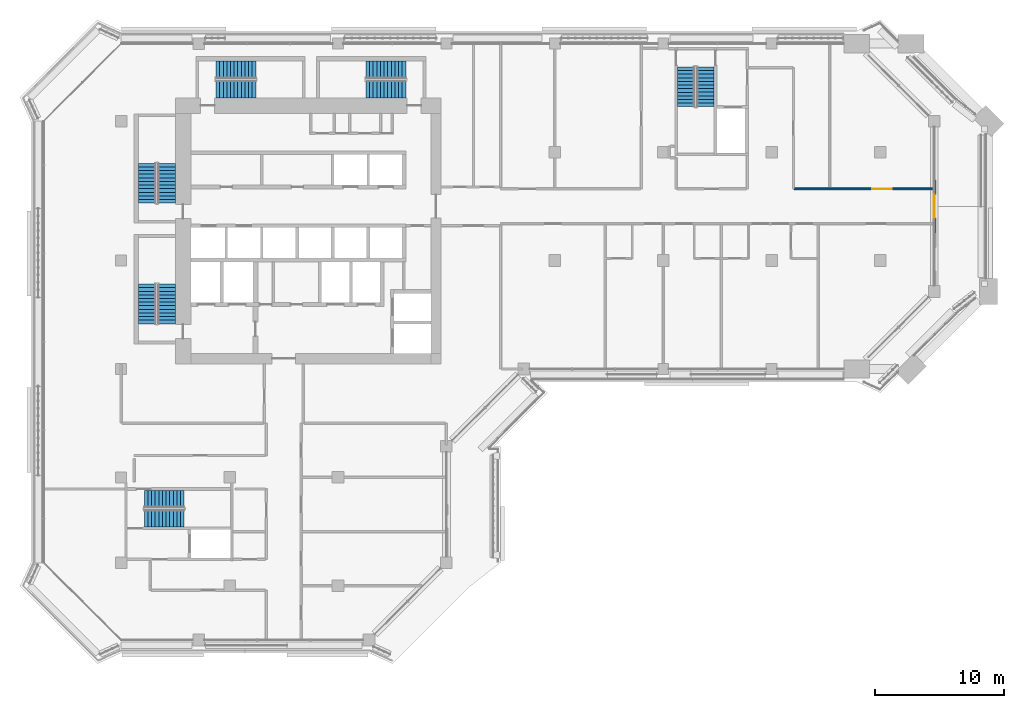
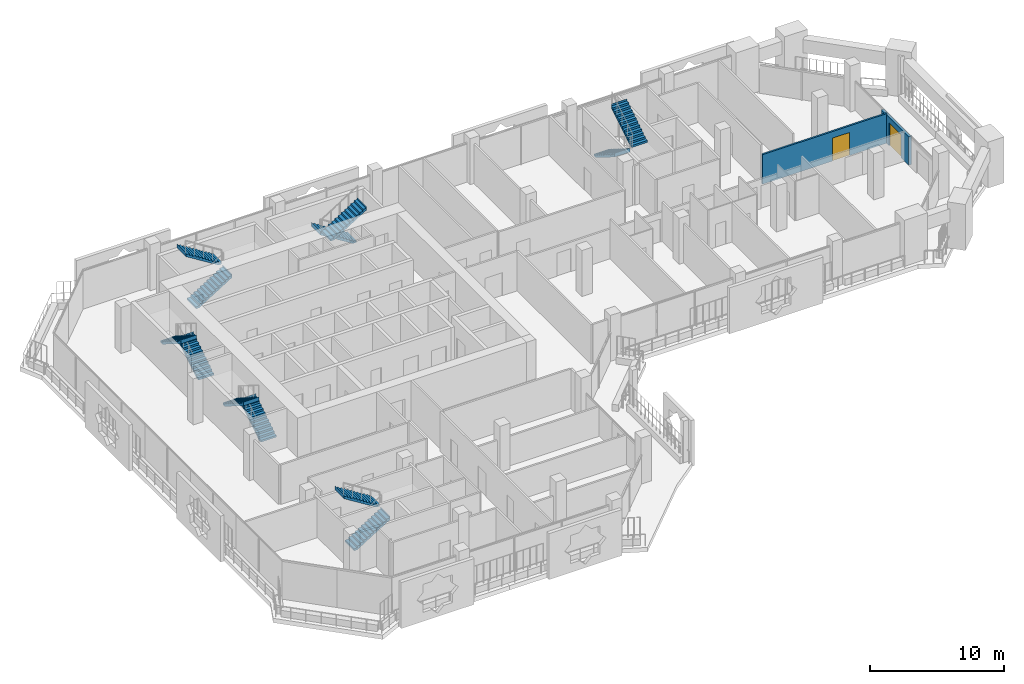
# One storey, part 14 of 21: 12 stair flights, 2 doors, 2 walls, 2 openings, 6 elements without a shape of their own.
"""IFC4 building model written with IfcOpenShell, lengths in metres."""

from ifc_helpers import new_model, si_unit, direction, frame, frame_2d, origin, place, context, subcontext, project, spatial, polyline, rectangle, outline, extrude, material, layer, layer_set, type_object, element, fill, aggregate, save


model = new_model("IFC4")

# Units and contexts
model_context = context("Model", 3, precision=1e-05, world=origin(), true_north=direction((0.0, 1.0)))
body_context = subcontext(model_context, "Body", "Model", "MODEL_VIEW")
ifc_project = project(units=[si_unit("LENGTHUNIT", "METRE"), si_unit("AREAUNIT", "SQUARE_METRE"), si_unit("VOLUMEUNIT", "CUBIC_METRE"), si_unit("PLANEANGLEUNIT", "RADIAN"), si_unit("MASSUNIT", "GRAM", prefix="KILO")], contexts=[model_context])

# Site, building, storey
site_placement = place(None, origin())
site = spatial("IfcSite", under=ifc_project, at=site_placement, CompositionType="ELEMENT")
building_placement = place(site_placement, origin())
building = spatial("IfcBuilding", under=site, at=building_placement, Name="Kawkab Arch Medical Tower", CompositionType="ELEMENT")
storey_placement = place(building_placement, frame((0.0, 0.0, 234.800048828125)))
storey = spatial("IfcBuildingStorey", under=building, at=storey_placement, Name="L54", CompositionType="ELEMENT", Elevation=234.800048828125)

# Wall, opening, door
ifc_material_1 = material(Name="Bronze clad insulated wall panel")
ifc_layer_1 = layer(ifc_material_1, 0.25)
ifc_layer_set_1 = layer_set([ifc_layer_1], Name="Bronze clad insulated wall panel")
wall_type_1 = type_object("IfcWallType", Name="External wall bay 250", PredefinedType="SOLIDWALL", material=ifc_layer_set_1)
wall_1_placement = place(storey_placement, frame((63.0, -14.64990234375, 0.0), z_axis=(0.0, 0.0, 1.0), x_axis=(0.0, 1.0, 0.0)))
wall_1 = element("IfcWall", 1, at=wall_1_placement, inside=storey, type_object=wall_type_1, Name="External wall bay L54.R09.1.2", PredefinedType="SOLIDWALL", context=body_context, shape_type="SweptSolid", body=[
    extrude(rectangle(XDim=4.099853515625, YDim=0.25, at=frame_2d((2.0498046875, 0.0))), origin(), (0.0, 0.0, 1.0), 2.579833984375),
])
opening_1_placement = place(wall_1_placement, frame((1.14990234375, 0.0, 0.0)))
opening_1 = element("IfcOpeningElement", 2, at=opening_1_placement, cuts=wall_1, Name="Opening W54-702", PredefinedType="OPENING", context=body_context, shape_type="SweptSolid", body=[
    extrude(rectangle(XDim=1.800048828125, YDim=2.10009765625, at=frame_2d((0.89990234375, 1.050048828125))), frame((0.0, 0.135009765625, 0.0), z_axis=(0.0, -1.0, 0.0), x_axis=(1.0, 0.0, 0.0)), (0.0, 0.0, 1.0), 0.27001953125),
])
ifc_material_2 = material(Name="Bronze anodised aluminium door with tinted glass", Category="aluminium")
door_type_1 = type_object("IfcDoorType", Name="Double external door 1800 x 2100", OperationType="DOUBLE_DOOR_SINGLE_SWING", PredefinedType="DOOR", material=ifc_material_2)
door_1_placement = place(opening_1_placement, origin())
door_1 = element("IfcDoor", 3, at=door_1_placement, inside=storey, type_object=door_type_1, Name="External door L54.R09.1.2", OperationType="DOUBLE_DOOR_SINGLE_SWING", OverallHeight=2.10009765625, OverallWidth=1.800048828125, PredefinedType="DOOR", context=body_context, shape_type="SweptSolid", body=[
    extrude(rectangle(XDim=1.800048828125, YDim=2.10009765625, at=frame_2d((0.89990234375, 1.050048828125))), frame((0.0, 0.02490234375, 0.0), z_axis=(0.0, -1.0, 0.0), x_axis=(1.0, 0.0, 0.0)), (0.0, 0.0, 1.0), 0.050048828125),
])
fill(opening_1, door_1)

ifc_material_3 = material(Name="Gypsum board partition on steel studs, mineral wool", Category="steel")
ifc_layer_2 = layer(ifc_material_3, 0.14990234375)
ifc_layer_set_2 = layer_set([ifc_layer_2], Name="Gypsum board partition on steel studs, mineral wool")
wall_type_2 = type_object("IfcWallType", Name="Partition 150", PredefinedType="PARTITIONING", material=ifc_layer_set_2)
wall_2_placement = place(storey_placement, frame((52.16796875, -11.25, 0.0), z_axis=(0.0, 0.0, 1.0), x_axis=(1.0, 0.0, 0.0)))
wall_2 = element("IfcWall", 4, at=wall_2_placement, inside=storey, type_object=wall_type_2, Name="Partition 150 w024", PredefinedType="PARTITIONING", context=body_context, shape_type="SweptSolid", body=[
    extrude(rectangle(XDim=10.751953125, YDim=0.14990234375, at=frame_2d((5.3759765625, 0.0))), origin(), (0.0, 0.0, 1.0), 2.699951171875),
])
opening_2_placement = place(wall_2_placement, frame((6.031982421875, 0.0, 0.0)))
opening_2 = element("IfcOpeningElement", 5, at=opening_2_placement, cuts=wall_2, Name="Opening W54-002", PredefinedType="OPENING", context=body_context, shape_type="SweptSolid", body=[
    extrude(rectangle(XDim=1.5, YDim=2.10009765625, at=frame_2d((0.75, 1.050048828125))), frame((0.0, 0.0849609375, 0.0), z_axis=(0.0, -1.0, 0.0), x_axis=(1.0, 0.0, 0.0)), (0.0, 0.0, 1.0), 0.169921875),
])
ifc_material_4 = material(Name="Hollow metal door leaf")
door_type_2 = type_object("IfcDoorType", Name="Double door 1500x2100 FD30S", OperationType="NOTDEFINED", PredefinedType="DOOR", material=ifc_material_4)
door_2_placement = place(opening_2_placement, origin())
door_2 = element("IfcDoor", 6, at=door_2_placement, inside=storey, type_object=door_type_2, Name="Door W54-002", OperationType="DOUBLE_DOOR_SINGLE_SWING", OverallHeight=2.10009765625, OverallWidth=1.5, PredefinedType="DOOR", context=body_context, shape_type="SweptSolid", body=[
    extrude(rectangle(XDim=1.5, YDim=2.10009765625, at=frame_2d((0.75, 1.050048828125))), frame((0.0, 0.02490234375, 0.0), z_axis=(0.0, -1.0, 0.0), x_axis=(1.0, 0.0, 0.0)), (0.0, 0.0, 1.0), 0.050048828125),
])
fill(opening_2, door_2)

# Stair, stair flights
ifc_material_5 = material(Name="Concrete C40/50", Category="concrete")
stair_type = type_object("IfcStairType", Name="Exit stair 1350", PredefinedType="HALF_TURN_STAIR", material=ifc_material_5)
placement = place(storey_placement, origin())
stair_1 = element("IfcStair", 7, at=placement, inside=storey, type_object=stair_type, Name="L54 Exit stair ST1", PredefinedType="HALF_TURN_STAIR")
ifc_material_6 = material(Name="Concrete C40/50", Category="concrete")
stair_flight_type = type_object("IfcStairFlightType", Name="Exit stair flight 1350", PredefinedType="STRAIGHT", material=ifc_material_6)
stair_flight_1_placement = place(storey_placement, frame((3.52490234375, -12.35009765625, 0.0), z_axis=(0.0, 0.0, 1.0), x_axis=(0.0, 1.0, 0.0)))
stair_flight_1 = element("IfcStairFlight", 8, at=stair_flight_1_placement, type_object=stair_flight_type, Name="ST1 flight 1", NumberOfRisers=12, NumberOfTreads=11, PredefinedType="STRAIGHT", RiserHeight=0.175, TreadLength=0.28, context=body_context, shape_type="SweptSolid", body=[
    extrude(outline(polyline([(-0.0029296875, 0.0), (-0.0029296875, 0.175048828125), (0.0, 0.175048828125), (0.280029296875, 0.175048828125), (0.280029296875, 0.35009765625), (0.56005859375, 0.35009765625), (0.56005859375, 0.52490234375), (0.840087890625, 0.52490234375), (0.840087890625, 0.699951171875), (1.1201171875, 0.699951171875), (1.1201171875, 0.875), (1.39990234375, 0.875), (1.39990234375, 1.050048828125), (1.679931640625, 1.050048828125), (1.679931640625, 1.22509765625), (1.9599609375, 1.22509765625), (1.9599609375, 1.39990234375), (2.239990234375, 1.39990234375), (2.239990234375, 1.574951171875), (2.52001953125, 1.574951171875), (2.52001953125, 1.75), (2.800048828125, 1.75), (2.800048828125, 1.925048828125), (3.080078125, 1.925048828125), (3.080078125, 2.10009765625), (3.0830078125, 2.10009765625), (3.0830078125, 1.748291015625), (3.080078125, 1.748291015625), (0.28271484375, 0.0), (-0.0029296875, 0.0)])), frame((0.0, 0.675048828125, 0.0), z_axis=(0.0, -1.0, 0.0), x_axis=(1.0, 0.0, 0.0)), (0.0, 0.0, 1.0), 1.35009765625),
])
stair_flight_2_placement = place(storey_placement, frame((2.02490234375, -9.27001953125, 2.099853515625), z_axis=(0.0, 0.0, 1.0), x_axis=(0.0, -1.0, 0.0)))
stair_flight_2 = element("IfcStairFlight", 9, at=stair_flight_2_placement, type_object=stair_flight_type, Name="ST1 flight 2", NumberOfRisers=12, NumberOfTreads=11, PredefinedType="STRAIGHT", RiserHeight=0.175, TreadLength=0.28, context=body_context, shape_type="SweptSolid", body=[
    extrude(outline(polyline([(-0.0029296875, 0.0), (-0.0029296875, 0.175048828125), (0.0, 0.175048828125), (0.280029296875, 0.175048828125), (0.280029296875, 0.35009765625), (0.56005859375, 0.35009765625), (0.56005859375, 0.52490234375), (0.840087890625, 0.52490234375), (0.840087890625, 0.699951171875), (1.1201171875, 0.699951171875), (1.1201171875, 0.875), (1.39990234375, 0.875), (1.39990234375, 1.050048828125), (1.679931640625, 1.050048828125), (1.679931640625, 1.22509765625), (1.9599609375, 1.22509765625), (1.9599609375, 1.39990234375), (2.239990234375, 1.39990234375), (2.239990234375, 1.574951171875), (2.52001953125, 1.574951171875), (2.52001953125, 1.75), (2.800048828125, 1.75), (2.800048828125, 1.925048828125), (3.080078125, 1.925048828125), (3.080078125, 2.10009765625), (3.0830078125, 2.10009765625), (3.0830078125, 1.748291015625), (3.080078125, 1.748291015625), (0.28271484375, 0.0), (-0.0029296875, 0.0)])), frame((0.0, 0.675048828125, 0.0), z_axis=(0.0, -1.0, 0.0), x_axis=(1.0, 0.0, 0.0)), (0.0, 0.0, 1.0), 1.35009765625),
])
aggregate(stair_1, [stair_flight_1, stair_flight_2])

stair_2 = element("IfcStair", 10, at=placement, inside=storey, type_object=stair_type, Name="L54 Exit stair ST2", PredefinedType="HALF_TURN_STAIR")
stair_flight_3_placement = place(storey_placement, frame((3.52490234375, -21.699951171875, 0.0), z_axis=(0.0, 0.0, 1.0), x_axis=(0.0, 1.0, 0.0)))
stair_flight_3 = element("IfcStairFlight", 11, at=stair_flight_3_placement, type_object=stair_flight_type, Name="ST2 flight 1", NumberOfRisers=12, NumberOfTreads=11, PredefinedType="STRAIGHT", RiserHeight=0.175, TreadLength=0.28, context=body_context, shape_type="SweptSolid", body=[
    extrude(outline(polyline([(-0.0029296875, 0.0), (-0.0029296875, 0.175048828125), (0.0, 0.175048828125), (0.280029296875, 0.175048828125), (0.280029296875, 0.35009765625), (0.56005859375, 0.35009765625), (0.56005859375, 0.52490234375), (0.840087890625, 0.52490234375), (0.840087890625, 0.699951171875), (1.1201171875, 0.699951171875), (1.1201171875, 0.875), (1.39990234375, 0.875), (1.39990234375, 1.050048828125), (1.679931640625, 1.050048828125), (1.679931640625, 1.22509765625), (1.9599609375, 1.22509765625), (1.9599609375, 1.39990234375), (2.239990234375, 1.39990234375), (2.239990234375, 1.574951171875), (2.52001953125, 1.574951171875), (2.52001953125, 1.75), (2.800048828125, 1.75), (2.800048828125, 1.925048828125), (3.080078125, 1.925048828125), (3.080078125, 2.10009765625), (3.0830078125, 2.10009765625), (3.0830078125, 1.748291015625), (3.080078125, 1.748291015625), (0.28271484375, 0.0), (-0.0029296875, 0.0)])), frame((0.0, 0.675048828125, 0.0), z_axis=(0.0, -1.0, 0.0), x_axis=(1.0, 0.0, 0.0)), (0.0, 0.0, 1.0), 1.35009765625),
])
stair_flight_4_placement = place(storey_placement, frame((2.02490234375, -18.6201171875, 2.099853515625), z_axis=(0.0, 0.0, 1.0), x_axis=(0.0, -1.0, 0.0)))
stair_flight_4 = element("IfcStairFlight", 12, at=stair_flight_4_placement, type_object=stair_flight_type, Name="ST2 flight 2", NumberOfRisers=12, NumberOfTreads=11, PredefinedType="STRAIGHT", RiserHeight=0.175, TreadLength=0.28, context=body_context, shape_type="SweptSolid", body=[
    extrude(outline(polyline([(-0.0029296875, 0.0), (-0.0029296875, 0.175048828125), (0.0, 0.175048828125), (0.280029296875, 0.175048828125), (0.280029296875, 0.35009765625), (0.56005859375, 0.35009765625), (0.56005859375, 0.52490234375), (0.840087890625, 0.52490234375), (0.840087890625, 0.699951171875), (1.1201171875, 0.699951171875), (1.1201171875, 0.875), (1.39990234375, 0.875), (1.39990234375, 1.050048828125), (1.679931640625, 1.050048828125), (1.679931640625, 1.22509765625), (1.9599609375, 1.22509765625), (1.9599609375, 1.39990234375), (2.239990234375, 1.39990234375), (2.239990234375, 1.574951171875), (2.52001953125, 1.574951171875), (2.52001953125, 1.75), (2.800048828125, 1.75), (2.800048828125, 1.925048828125), (3.080078125, 1.925048828125), (3.080078125, 2.10009765625), (3.0830078125, 2.10009765625), (3.0830078125, 1.748291015625), (3.080078125, 1.748291015625), (0.28271484375, 0.0), (-0.0029296875, 0.0)])), frame((0.0, 0.675048828125, 0.0), z_axis=(0.0, -1.0, 0.0), x_axis=(1.0, 0.0, 0.0)), (0.0, 0.0, 1.0), 1.35009765625),
])
aggregate(stair_2, [stair_flight_3, stair_flight_4])

stair_3 = element("IfcStair", 13, at=placement, inside=storey, type_object=stair_type, Name="L54 Exit stair ST3", PredefinedType="HALF_TURN_STAIR")
stair_flight_5_placement = place(storey_placement, frame((7.35009765625, -3.52490234375, 0.0), z_axis=(0.0, 0.0, 1.0), x_axis=(1.0, 0.0, 0.0)))
stair_flight_5 = element("IfcStairFlight", 14, at=stair_flight_5_placement, type_object=stair_flight_type, Name="ST3 flight 1", NumberOfRisers=12, NumberOfTreads=11, PredefinedType="STRAIGHT", RiserHeight=0.175, TreadLength=0.28, context=body_context, shape_type="SweptSolid", body=[
    extrude(outline(polyline([(-0.0029296875, 0.0), (-0.0029296875, 0.175048828125), (0.0, 0.175048828125), (0.280029296875, 0.175048828125), (0.280029296875, 0.35009765625), (0.56005859375, 0.35009765625), (0.56005859375, 0.52490234375), (0.840087890625, 0.52490234375), (0.840087890625, 0.699951171875), (1.1201171875, 0.699951171875), (1.1201171875, 0.875), (1.39990234375, 0.875), (1.39990234375, 1.050048828125), (1.679931640625, 1.050048828125), (1.679931640625, 1.22509765625), (1.9599609375, 1.22509765625), (1.9599609375, 1.39990234375), (2.239990234375, 1.39990234375), (2.239990234375, 1.574951171875), (2.52001953125, 1.574951171875), (2.52001953125, 1.75), (2.800048828125, 1.75), (2.800048828125, 1.925048828125), (3.080078125, 1.925048828125), (3.080078125, 2.10009765625), (3.0830078125, 2.10009765625), (3.0830078125, 1.748291015625), (3.080078125, 1.748291015625), (0.28271484375, 0.0), (-0.0029296875, 0.0)])), frame((0.0, 0.675048828125, 0.0), z_axis=(0.0, -1.0, 0.0), x_axis=(1.0, 0.0, 0.0)), (0.0, 0.0, 1.0), 1.35009765625),
])
stair_flight_6_placement = place(storey_placement, frame((10.429931640625, -2.02490234375, 2.099853515625), z_axis=(0.0, 0.0, 1.0), x_axis=(-1.0, 0.0, 0.0)))
stair_flight_6 = element("IfcStairFlight", 15, at=stair_flight_6_placement, type_object=stair_flight_type, Name="ST3 flight 2", NumberOfRisers=12, NumberOfTreads=11, PredefinedType="STRAIGHT", RiserHeight=0.175, TreadLength=0.28, context=body_context, shape_type="SweptSolid", body=[
    extrude(outline(polyline([(-0.0029296875, 0.0), (-0.0029296875, 0.175048828125), (0.0, 0.175048828125), (0.280029296875, 0.175048828125), (0.280029296875, 0.35009765625), (0.56005859375, 0.35009765625), (0.56005859375, 0.52490234375), (0.840087890625, 0.52490234375), (0.840087890625, 0.699951171875), (1.1201171875, 0.699951171875), (1.1201171875, 0.875), (1.39990234375, 0.875), (1.39990234375, 1.050048828125), (1.679931640625, 1.050048828125), (1.679931640625, 1.22509765625), (1.9599609375, 1.22509765625), (1.9599609375, 1.39990234375), (2.239990234375, 1.39990234375), (2.239990234375, 1.574951171875), (2.52001953125, 1.574951171875), (2.52001953125, 1.75), (2.800048828125, 1.75), (2.800048828125, 1.925048828125), (3.080078125, 1.925048828125), (3.080078125, 2.10009765625), (3.0830078125, 2.10009765625), (3.0830078125, 1.748291015625), (3.080078125, 1.748291015625), (0.28271484375, 0.0), (-0.0029296875, 0.0)])), frame((0.0, 0.675048828125, 0.0), z_axis=(0.0, -1.0, 0.0), x_axis=(1.0, 0.0, 0.0)), (0.0, 0.0, 1.0), 1.35009765625),
])
aggregate(stair_3, [stair_flight_5, stair_flight_6])

stair_4 = element("IfcStair", 16, at=placement, inside=storey, type_object=stair_type, Name="L54 Exit stair ST4", PredefinedType="HALF_TURN_STAIR")
stair_flight_7_placement = place(storey_placement, frame((22.050048828125, -2.02490234375, 0.0), z_axis=(0.0, 0.0, 1.0), x_axis=(-1.0, 0.0, 0.0)))
stair_flight_7 = element("IfcStairFlight", 17, at=stair_flight_7_placement, type_object=stair_flight_type, Name="ST4 flight 1", NumberOfRisers=12, NumberOfTreads=11, PredefinedType="STRAIGHT", RiserHeight=0.175, TreadLength=0.28, context=body_context, shape_type="SweptSolid", body=[
    extrude(outline(polyline([(-0.0029296875, 0.0), (-0.0029296875, 0.175048828125), (0.0, 0.175048828125), (0.280029296875, 0.175048828125), (0.280029296875, 0.35009765625), (0.56005859375, 0.35009765625), (0.56005859375, 0.52490234375), (0.840087890625, 0.52490234375), (0.840087890625, 0.699951171875), (1.1201171875, 0.699951171875), (1.1201171875, 0.875), (1.39990234375, 0.875), (1.39990234375, 1.050048828125), (1.679931640625, 1.050048828125), (1.679931640625, 1.22509765625), (1.9599609375, 1.22509765625), (1.9599609375, 1.39990234375), (2.239990234375, 1.39990234375), (2.239990234375, 1.574951171875), (2.52001953125, 1.574951171875), (2.52001953125, 1.75), (2.800048828125, 1.75), (2.800048828125, 1.925048828125), (3.080078125, 1.925048828125), (3.080078125, 2.10009765625), (3.0830078125, 2.10009765625), (3.0830078125, 1.748291015625), (3.080078125, 1.748291015625), (0.28271484375, 0.0), (-0.0029296875, 0.0)])), frame((0.0, 0.675048828125, 0.0), z_axis=(0.0, -1.0, 0.0), x_axis=(1.0, 0.0, 0.0)), (0.0, 0.0, 1.0), 1.35009765625),
])
stair_flight_8_placement = place(storey_placement, frame((18.969970703125, -3.52490234375, 2.099853515625), z_axis=(0.0, 0.0, 1.0), x_axis=(1.0, 0.0, 0.0)))
stair_flight_8 = element("IfcStairFlight", 18, at=stair_flight_8_placement, type_object=stair_flight_type, Name="ST4 flight 2", NumberOfRisers=12, NumberOfTreads=11, PredefinedType="STRAIGHT", RiserHeight=0.175, TreadLength=0.28, context=body_context, shape_type="SweptSolid", body=[
    extrude(outline(polyline([(-0.0029296875, 0.0), (-0.0029296875, 0.175048828125), (0.0, 0.175048828125), (0.280029296875, 0.175048828125), (0.280029296875, 0.35009765625), (0.56005859375, 0.35009765625), (0.56005859375, 0.52490234375), (0.840087890625, 0.52490234375), (0.840087890625, 0.699951171875), (1.1201171875, 0.699951171875), (1.1201171875, 0.875), (1.39990234375, 0.875), (1.39990234375, 1.050048828125), (1.679931640625, 1.050048828125), (1.679931640625, 1.22509765625), (1.9599609375, 1.22509765625), (1.9599609375, 1.39990234375), (2.239990234375, 1.39990234375), (2.239990234375, 1.574951171875), (2.52001953125, 1.574951171875), (2.52001953125, 1.75), (2.800048828125, 1.75), (2.800048828125, 1.925048828125), (3.080078125, 1.925048828125), (3.080078125, 2.10009765625), (3.0830078125, 2.10009765625), (3.0830078125, 1.748291015625), (3.080078125, 1.748291015625), (0.28271484375, 0.0), (-0.0029296875, 0.0)])), frame((0.0, 0.675048828125, 0.0), z_axis=(0.0, -1.0, 0.0), x_axis=(1.0, 0.0, 0.0)), (0.0, 0.0, 1.0), 1.35009765625),
])
aggregate(stair_4, [stair_flight_7, stair_flight_8])

stair_5 = element("IfcStair", 19, at=placement, inside=storey, type_object=stair_type, Name="L54 Exit stair ST5", PredefinedType="HALF_TURN_STAIR")
stair_flight_9_placement = place(storey_placement, frame((43.77490234375, -1.800048828125, 0.0), z_axis=(0.0, 0.0, 1.0), x_axis=(0.0, -1.0, 0.0)))
stair_flight_9 = element("IfcStairFlight", 20, at=stair_flight_9_placement, type_object=stair_flight_type, Name="ST5 flight 1", NumberOfRisers=12, NumberOfTreads=11, PredefinedType="STRAIGHT", RiserHeight=0.175, TreadLength=0.28, context=body_context, shape_type="SweptSolid", body=[
    extrude(outline(polyline([(-0.0029296875, 0.0), (-0.0029296875, 0.175048828125), (0.0, 0.175048828125), (0.280029296875, 0.175048828125), (0.280029296875, 0.35009765625), (0.56005859375, 0.35009765625), (0.56005859375, 0.52490234375), (0.840087890625, 0.52490234375), (0.840087890625, 0.699951171875), (1.1201171875, 0.699951171875), (1.1201171875, 0.875), (1.39990234375, 0.875), (1.39990234375, 1.050048828125), (1.679931640625, 1.050048828125), (1.679931640625, 1.22509765625), (1.9599609375, 1.22509765625), (1.9599609375, 1.39990234375), (2.239990234375, 1.39990234375), (2.239990234375, 1.574951171875), (2.52001953125, 1.574951171875), (2.52001953125, 1.75), (2.800048828125, 1.75), (2.800048828125, 1.925048828125), (3.080078125, 1.925048828125), (3.080078125, 2.10009765625), (3.0830078125, 2.10009765625), (3.0830078125, 1.748291015625), (3.080078125, 1.748291015625), (0.28271484375, 0.0), (-0.0029296875, 0.0)])), frame((0.0, 0.675048828125, 0.0), z_axis=(0.0, -1.0, 0.0), x_axis=(1.0, 0.0, 0.0)), (0.0, 0.0, 1.0), 1.35009765625),
])
stair_flight_10_placement = place(storey_placement, frame((45.27490234375, -4.8798828125, 2.099853515625), z_axis=(0.0, 0.0, 1.0), x_axis=(0.0, 1.0, 0.0)))
stair_flight_10 = element("IfcStairFlight", 21, at=stair_flight_10_placement, type_object=stair_flight_type, Name="ST5 flight 2", NumberOfRisers=12, NumberOfTreads=11, PredefinedType="STRAIGHT", RiserHeight=0.175, TreadLength=0.28, context=body_context, shape_type="SweptSolid", body=[
    extrude(outline(polyline([(-0.0029296875, 0.0), (-0.0029296875, 0.175048828125), (0.0, 0.175048828125), (0.280029296875, 0.175048828125), (0.280029296875, 0.35009765625), (0.56005859375, 0.35009765625), (0.56005859375, 0.52490234375), (0.840087890625, 0.52490234375), (0.840087890625, 0.699951171875), (1.1201171875, 0.699951171875), (1.1201171875, 0.875), (1.39990234375, 0.875), (1.39990234375, 1.050048828125), (1.679931640625, 1.050048828125), (1.679931640625, 1.22509765625), (1.9599609375, 1.22509765625), (1.9599609375, 1.39990234375), (2.239990234375, 1.39990234375), (2.239990234375, 1.574951171875), (2.52001953125, 1.574951171875), (2.52001953125, 1.75), (2.800048828125, 1.75), (2.800048828125, 1.925048828125), (3.080078125, 1.925048828125), (3.080078125, 2.10009765625), (3.0830078125, 2.10009765625), (3.0830078125, 1.748291015625), (3.080078125, 1.748291015625), (0.28271484375, 0.0), (-0.0029296875, 0.0)])), frame((0.0, 0.675048828125, 0.0), z_axis=(0.0, -1.0, 0.0), x_axis=(1.0, 0.0, 0.0)), (0.0, 0.0, 1.0), 1.35009765625),
])
aggregate(stair_5, [stair_flight_9, stair_flight_10])

stair_6 = element("IfcStair", 22, at=placement, inside=storey, type_object=stair_type, Name="L54 Exit stair ST6", PredefinedType="HALF_TURN_STAIR")
stair_flight_11_placement = place(storey_placement, frame((1.800048828125, -36.77490234375, 0.0), z_axis=(0.0, 0.0, 1.0), x_axis=(1.0, 0.0, 0.0)))
stair_flight_11 = element("IfcStairFlight", 23, at=stair_flight_11_placement, type_object=stair_flight_type, Name="ST6 flight 1", NumberOfRisers=12, NumberOfTreads=11, PredefinedType="STRAIGHT", RiserHeight=0.175, TreadLength=0.28, context=body_context, shape_type="SweptSolid", body=[
    extrude(outline(polyline([(-0.0029296875, 0.0), (-0.0029296875, 0.175048828125), (0.0, 0.175048828125), (0.280029296875, 0.175048828125), (0.280029296875, 0.35009765625), (0.56005859375, 0.35009765625), (0.56005859375, 0.52490234375), (0.840087890625, 0.52490234375), (0.840087890625, 0.699951171875), (1.1201171875, 0.699951171875), (1.1201171875, 0.875), (1.39990234375, 0.875), (1.39990234375, 1.050048828125), (1.679931640625, 1.050048828125), (1.679931640625, 1.22509765625), (1.9599609375, 1.22509765625), (1.9599609375, 1.39990234375), (2.239990234375, 1.39990234375), (2.239990234375, 1.574951171875), (2.52001953125, 1.574951171875), (2.52001953125, 1.75), (2.800048828125, 1.75), (2.800048828125, 1.925048828125), (3.080078125, 1.925048828125), (3.080078125, 2.10009765625), (3.0830078125, 2.10009765625), (3.0830078125, 1.748291015625), (3.080078125, 1.748291015625), (0.28271484375, 0.0), (-0.0029296875, 0.0)])), frame((0.0, 0.675048828125, 0.0), z_axis=(0.0, -1.0, 0.0), x_axis=(1.0, 0.0, 0.0)), (0.0, 0.0, 1.0), 1.35009765625),
])
stair_flight_12_placement = place(storey_placement, frame((4.8798828125, -35.27490234375, 2.099853515625), z_axis=(0.0, 0.0, 1.0), x_axis=(-1.0, 0.0, 0.0)))
stair_flight_12 = element("IfcStairFlight", 24, at=stair_flight_12_placement, type_object=stair_flight_type, Name="ST6 flight 2", NumberOfRisers=12, NumberOfTreads=11, PredefinedType="STRAIGHT", RiserHeight=0.175, TreadLength=0.28, context=body_context, shape_type="SweptSolid", body=[
    extrude(outline(polyline([(-0.0029296875, 0.0), (-0.0029296875, 0.175048828125), (0.0, 0.175048828125), (0.280029296875, 0.175048828125), (0.280029296875, 0.35009765625), (0.56005859375, 0.35009765625), (0.56005859375, 0.52490234375), (0.840087890625, 0.52490234375), (0.840087890625, 0.699951171875), (1.1201171875, 0.699951171875), (1.1201171875, 0.875), (1.39990234375, 0.875), (1.39990234375, 1.050048828125), (1.679931640625, 1.050048828125), (1.679931640625, 1.22509765625), (1.9599609375, 1.22509765625), (1.9599609375, 1.39990234375), (2.239990234375, 1.39990234375), (2.239990234375, 1.574951171875), (2.52001953125, 1.574951171875), (2.52001953125, 1.75), (2.800048828125, 1.75), (2.800048828125, 1.925048828125), (3.080078125, 1.925048828125), (3.080078125, 2.10009765625), (3.0830078125, 2.10009765625), (3.0830078125, 1.748291015625), (3.080078125, 1.748291015625), (0.28271484375, 0.0), (-0.0029296875, 0.0)])), frame((0.0, 0.675048828125, 0.0), z_axis=(0.0, -1.0, 0.0), x_axis=(1.0, 0.0, 0.0)), (0.0, 0.0, 1.0), 1.35009765625),
])
aggregate(stair_6, [stair_flight_11, stair_flight_12])

save(model, "model.ifc")
